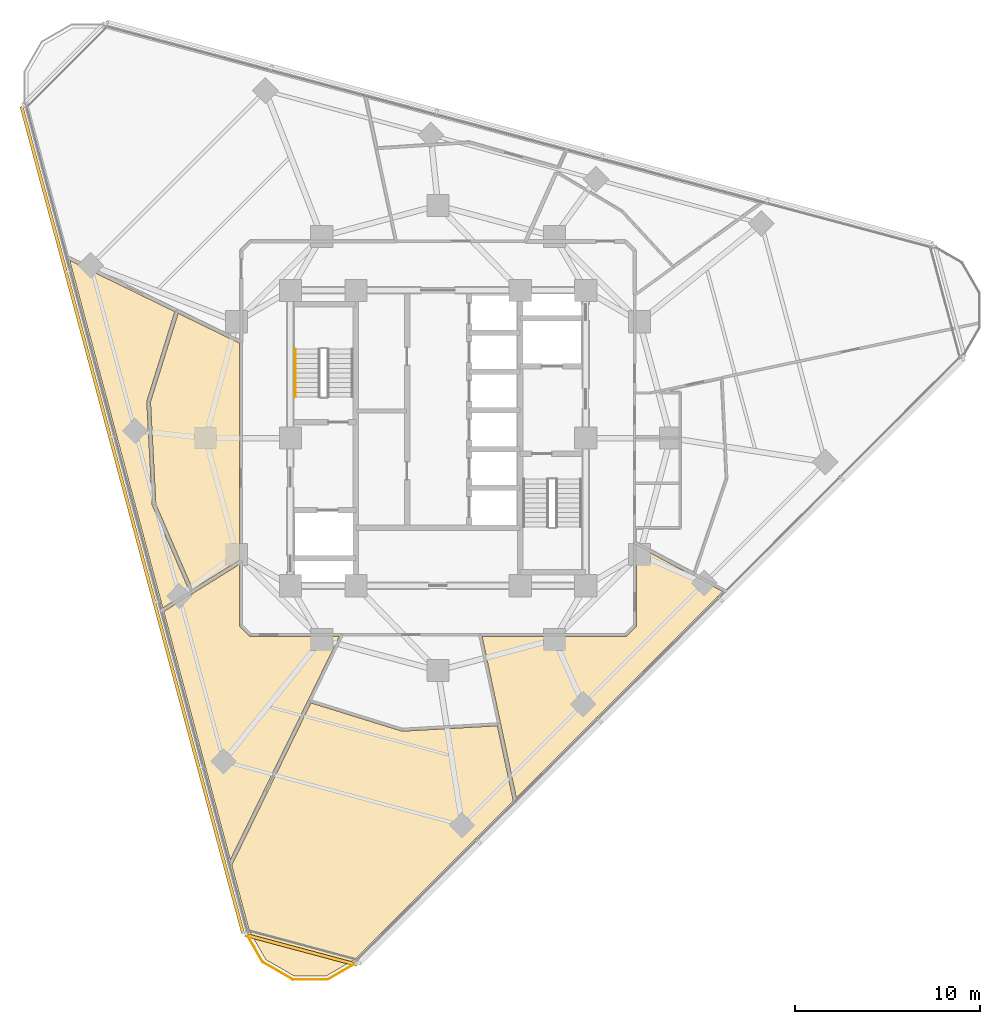
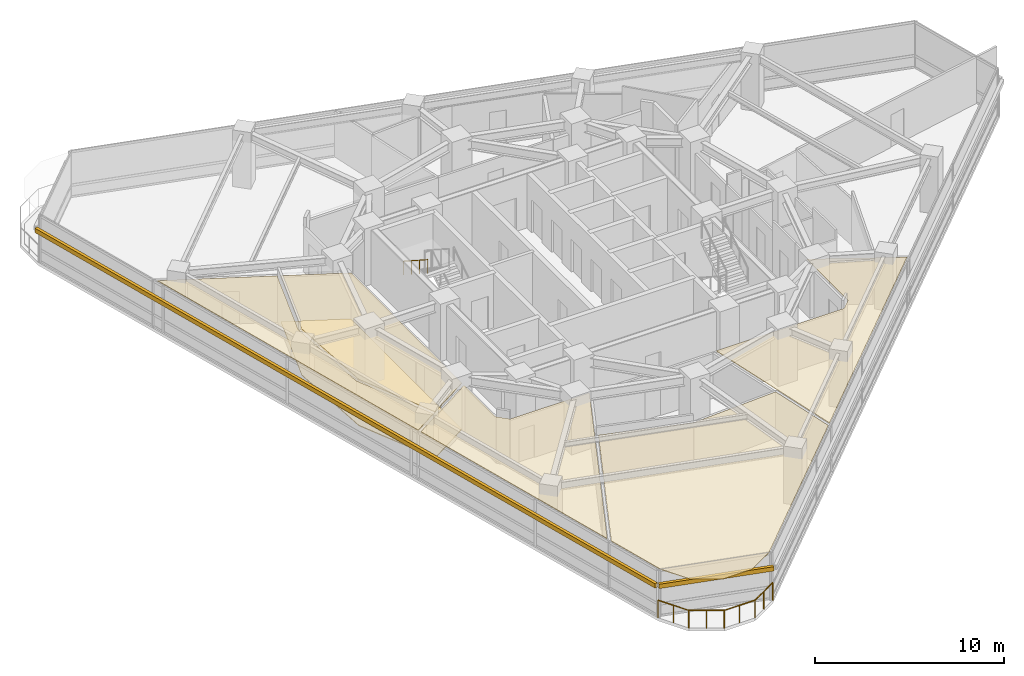
# One storey, part 11 of 14: 6 coverings, 2 railings, 2 shading devices.
"""IFC4 building model written with IfcOpenShell, lengths in metres."""

from ifc_helpers import new_model, si_unit, direction, frame, origin, origin_2d, place, context, subcontext, project, spatial, polyline, rectangle, circle, outline, extrude, material, layer, layer_set, type_object, element, save


model = new_model("IFC4")

# Units and contexts
model_context = context("Model", 3, precision=1e-05, world=origin(), true_north=direction((0.0, 1.0)))
body_context = subcontext(model_context, "Body", "Model", "MODEL_VIEW")
ifc_project = project(units=[si_unit("LENGTHUNIT", "METRE"), si_unit("AREAUNIT", "SQUARE_METRE"), si_unit("VOLUMEUNIT", "CUBIC_METRE"), si_unit("PLANEANGLEUNIT", "RADIAN"), si_unit("MASSUNIT", "GRAM", prefix="KILO")], contexts=[model_context])

# Site, building, storey
site_placement = place(None, origin())
site = spatial("IfcSite", under=ifc_project, at=site_placement, CompositionType="ELEMENT")
building_placement = place(site_placement, origin())
building = spatial("IfcBuilding", under=site, at=building_placement, Name="Terralouvre Media Tower", CompositionType="ELEMENT")
storey_placement = place(building_placement, frame((0.0, 0.0, 187.89990234375)))
storey = spatial("IfcBuildingStorey", under=building, at=storey_placement, Name="L48", CompositionType="ELEMENT", Elevation=187.89990234375)

# Coverings
ifc_material_1 = material(Name="Resilient elastomer acoustic broadcast studio flooring")
ifc_layer_1 = layer(ifc_material_1, 0.050048828125, Name="Broadcast Studio Acoustic Floating Floor FL-AC1")
ifc_layer_set_1 = layer_set([ifc_layer_1], Name="Resilient elastomer acoustic broadcast studio flooring")
covering_type_1 = type_object("IfcCoveringType", Name="Broadcast Studio Acoustic Floating Floor FL-AC1", PredefinedType="FLOORING", material=ifc_layer_set_1)
covering_1_placement = place(storey_placement, frame((0.0, 0.0, 0.0), z_axis=(0.0, 0.0, 1.0), x_axis=(0.707106781187, 0.707106781187, 0.0)))
element("IfcCovering", 1, at=covering_1_placement, inside=storey, type_object=covering_type_1, Name="L48 Foley Sound Creative Workshop 1 Acoustic Floating Floor", PredefinedType="FLOORING", context=body_context, shape_type="SweptSolid", body=[
    extrude(outline(polyline([(-9.62939453125, 12.398681640625), (-13.33740234375, 8.2802734375), (-15.192138671875, 3.6103515625), (-12.26806640625, 2.934814453125), (-3.972900390625, 11.22998046875), (-5.17822265625, 14.7314453125), (-9.62939453125, 12.398681640625)])), origin(), (0.0, 0.0, 1.0), 0.050048828125),
])
ifc_material_2 = material(Name="Perforated aluminium acoustic ceiling baffle", Category="aluminium")
ifc_layer_2 = layer(ifc_material_2, 0.0400390625, Name="Perforated Acoustic Metal Tile Ceiling CL-AC1")
ifc_layer_set_2 = layer_set([ifc_layer_2], Name="Perforated aluminium acoustic ceiling baffle")
covering_type_2 = type_object("IfcCoveringType", Name="Perforated Acoustic Metal Tile Ceiling CL-AC1", PredefinedType="CEILING", material=ifc_layer_set_2)
covering_2_placement = place(storey_placement, frame((0.0, 0.0, 2.97998046875), z_axis=(0.0, 0.0, 1.0), x_axis=(0.707106781187, 0.707106781187, 0.0)))
element("IfcCovering", 2, at=covering_2_placement, inside=storey, type_object=covering_type_2, Name="L48 Foley Sound Creative Workshop 1 Acoustic Ceiling", PredefinedType="CEILING", context=body_context, shape_type="SweptSolid", body=[
    extrude(outline(polyline([(-9.62939453125, 12.398681640625), (-13.33740234375, 8.2802734375), (-15.192138671875, 3.6103515625), (-12.26806640625, 2.934814453125), (-3.972900390625, 11.22998046875), (-5.17822265625, 14.7314453125), (-9.62939453125, 12.398681640625)])), origin(), (0.0, 0.0, 1.0), 0.0400390625),
])
covering_3_placement = place(storey_placement, frame((0.0, 0.0, 2.97998046875), z_axis=(0.0, 0.0, 1.0), x_axis=(0.707106781187, 0.707106781187, 0.0)))
element("IfcCovering", 3, at=covering_3_placement, inside=storey, type_object=covering_type_2, Name="L48 Vinyl and Score Music Library 2 Acoustic Ceiling", PredefinedType="CEILING", context=body_context, shape_type="SweptSolid", body=[
    extrude(outline(polyline([(-11.38720703125, -3.8154296875), (-14.778564453125, -0.42431640625), (-14.78515625, -0.4169921875), (-14.791015625, -0.4091796875), (-14.7958984375, -0.400634765625), (-14.80029296875, -0.391845703125), (-14.803466796875, -0.382568359375), (-14.805908203125, -0.373046875), (-14.807373046875, -0.36328125), (-14.807861328125, -0.353515625), (-14.807861328125, 0.353515625), (-14.807373046875, 0.36328125), (-14.805908203125, 0.373046875), (-14.803466796875, 0.382568359375), (-14.80029296875, 0.391845703125), (-14.7958984375, 0.400634765625), (-14.791015625, 0.4091796875), (-14.78515625, 0.4169921875), (-14.778564453125, 0.42431640625), (-12.434814453125, 2.76806640625), (-15.350341796875, 3.441650390625), (-17.152099609375, 3.857666015625), (-24.11181640625, -8.19677734375), (-15.000732421875, -5.058837890625), (-11.38720703125, -3.8154296875)])), origin(), (0.0, 0.0, 1.0), 0.0400390625),
])
covering_4_placement = place(storey_placement, frame((0.0, 0.0, 2.97998046875), z_axis=(0.0, 0.0, 1.0), x_axis=(0.707106781187, 0.707106781187, 0.0)))
element("IfcCovering", 4, at=covering_4_placement, inside=storey, type_object=covering_type_2, Name="L48 Podcast Host Green Lounge 3 Acoustic Ceiling", PredefinedType="CEILING", context=body_context, shape_type="SweptSolid", body=[
    extrude(outline(polyline([(-12.595703125, -9.863037109375), (-12.602294921875, -9.856689453125), (-12.608154296875, -9.85009765625), (-12.61328125, -9.8427734375), (-12.61767578125, -9.8349609375), (-15.0166015625, -5.27587890625), (-24.264404296875, -8.4609375), (-26.110107421875, -11.658447265625), (-26.572021484375, -13.38330078125), (-26.117919921875, -15.07958984375), (-24.87646484375, -16.32080078125), (-23.15087890625, -16.78369140625), (-11.018798828125, -16.782958984375), (-8.753173828125, -13.294189453125), (-12.595703125, -9.863037109375)])), origin(), (0.0, 0.0, 1.0), 0.0400390625),
])
covering_5_placement = place(storey_placement, frame((0.0, 0.0, 2.97998046875), z_axis=(0.0, 0.0, 1.0), x_axis=(0.707106781187, 0.707106781187, 0.0)))
element("IfcCovering", 5, at=covering_5_placement, inside=storey, type_object=covering_type_2, Name="L48 Sound Engineers Crew Room 5 Acoustic Ceiling", PredefinedType="CEILING", context=body_context, shape_type="SweptSolid", body=[
    extrude(outline(polyline([(3.4794921875, -11.723388671875), (0.42431640625, -14.778564453125), (0.4169921875, -14.78515625), (0.4091796875, -14.791015625), (0.400634765625, -14.7958984375), (0.391845703125, -14.80029296875), (0.382568359375, -14.803466796875), (0.373046875, -14.805908203125), (0.36328125, -14.807373046875), (0.353515625, -14.807861328125), (-0.353515625, -14.807861328125), (-0.36328125, -14.807373046875), (-0.373046875, -14.805908203125), (-0.382568359375, -14.803466796875), (-0.391845703125, -14.80029296875), (-0.400634765625, -14.7958984375), (-0.4091796875, -14.791015625), (-0.4169921875, -14.78515625), (-0.42431640625, -14.778564453125), (-5.9130859375, -9.28955078125), (-8.53857421875, -13.3310546875), (-10.7802734375, -16.782958984375), (5.02685546875, -16.78271484375), (4.502685546875, -15.06884765625), (3.4794921875, -11.723388671875)])), origin(), (0.0, 0.0, 1.0), 0.0400390625),
])
covering_6_placement = place(storey_placement, frame((0.0, 0.0, 2.97998046875), z_axis=(0.0, 0.0, 1.0), x_axis=(0.707106781187, 0.707106781187, 0.0)))
element("IfcCovering", 6, at=covering_6_placement, inside=storey, type_object=covering_type_2, Name="L48 Radio Continuity Control Room 14 Acoustic Ceiling", PredefinedType="CEILING", context=body_context, shape_type="SweptSolid", body=[
    extrude(outline(polyline([(-13.5166015625, 8.370849609375), (-13.512939453125, 8.37890625), (-13.5087890625, 8.38671875), (-13.503662109375, 8.39404296875), (-13.498046875, 8.40087890625), (-9.765869140625, 12.5458984375), (-9.759765625, 12.55224609375), (-9.7529296875, 12.55810546875), (-9.74560546875, 12.56298828125), (-9.738037109375, 12.567626953125), (-5.244140625, 14.922607421875), (-7.306396484375, 20.910888671875), (-17.047607421875, 4.038818359375), (-15.38916015625, 3.65576171875), (-13.5166015625, 8.370849609375)])), origin(), (0.0, 0.0, 1.0), 0.0400390625),
])

# Railings
ifc_material_3 = material(Name="Stainless steel 316 handrail and balustrade", Category="steel")
ifc_layer_3 = layer(ifc_material_3, 0.06005859375, Name="Roof Edge Safety Guardrail GR-ROOF1")
ifc_layer_set_3 = layer_set([ifc_layer_3], Name="Stainless steel 316 handrail and balustrade")
railing_type_1 = type_object("IfcRailingType", Name="Roof Edge Safety Guardrail GR-ROOF1", PredefinedType="GUARDRAIL", material=ifc_layer_set_3)
railing_1_placement = place(storey_placement, frame((-10.418701171875, -26.77685546875, 0.0)))
element("IfcRailing", 7, at=railing_1_placement, inside=storey, type_object=railing_type_1, Name="L48 Wind-Corner Perimeter Safety Guardrail C0", PredefinedType="GUARDRAIL", context=body_context, shape_type="SweptSolid", body=[
    extrude(circle(Radius=0.02099609375, at=origin_2d()), frame((0.0, 0.0, 1.12890625), z_axis=(0.499797667116, -0.866142189219, 0.0), x_axis=(0.866142189219, 0.499797667116, 0.0)), (0.0, 0.0, 1.0), 1.873291015625),
    extrude(circle(Radius=0.02099609375, at=origin_2d()), frame((0.936279296875, -1.62255859375, 1.12890625), z_axis=(0.86593156901, -0.500162491388, 0.0), x_axis=(0.500162491388, 0.86593156901, 0.0)), (0.0, 0.0, 1.0), 1.873046875),
    extrude(circle(Radius=0.02099609375, at=origin_2d()), frame((2.55810546875, -2.559326171875, 1.12890625), z_axis=(0.999999991505, 0.000130344107, 0.0), x_axis=(-0.000130344107, 0.999999991505, 0.0)), (0.0, 0.0, 1.0), 1.873046875),
    extrude(circle(Radius=0.02099609375, at=origin_2d()), frame((4.43115234375, -2.55908203125, 1.12890625), z_axis=(0.86590772507, 0.500203770141, 0.0), x_axis=(-0.500203770141, 0.86590772507, 0.0)), (0.0, 0.0, 1.0), 1.873291015625),
    extrude(circle(Radius=0.01904296875, at=origin_2d()), origin(), (0.0, 0.0, 1.0), 1.10791015625),
    extrude(circle(Radius=0.01904296875, at=origin_2d()), frame((0.46826171875, -0.811279296875, 0.0)), (0.0, 0.0, 1.0), 1.10791015625),
    extrude(circle(Radius=0.01904296875, at=origin_2d()), frame((0.936279296875, -1.62255859375, 0.0)), (0.0, 0.0, 1.0), 1.10791015625),
    extrude(circle(Radius=0.01904296875, at=origin_2d()), frame((1.7470703125, -2.0908203125, 0.0)), (0.0, 0.0, 1.0), 1.10791015625),
    extrude(circle(Radius=0.01904296875, at=origin_2d()), frame((2.55810546875, -2.559326171875, 0.0)), (0.0, 0.0, 1.0), 1.10791015625),
    extrude(circle(Radius=0.01904296875, at=origin_2d()), frame((3.49462890625, -2.55908203125, 0.0)), (0.0, 0.0, 1.0), 1.10791015625),
    extrude(circle(Radius=0.01904296875, at=origin_2d()), frame((4.43115234375, -2.55908203125, 0.0)), (0.0, 0.0, 1.0), 1.10791015625),
    extrude(circle(Radius=0.01904296875, at=origin_2d()), frame((5.2421875, -2.090576171875, 0.0)), (0.0, 0.0, 1.0), 1.10791015625),
    extrude(circle(Radius=0.01904296875, at=origin_2d()), frame((6.05322265625, -1.6220703125, 0.0)), (0.0, 0.0, 1.0), 1.10791015625),
])
ifc_material_4 = material(Name="Stainless steel 316 handrail and balustrade", Category="steel")
ifc_layer_4 = layer(ifc_material_4, 0.050048828125, Name="Stair Flight Wall Handrail HR-INT1")
ifc_layer_set_4 = layer_set([ifc_layer_4], Name="Stainless steel 316 handrail and balustrade")
railing_type_2 = type_object("IfcRailingType", Name="Stair Flight Wall Handrail HR-INT1", PredefinedType="HANDRAIL", material=ifc_layer_set_4)
railing_2_placement = place(storey_placement, frame((-7.72998046875, 4.820068359375, 2.018310546875)))
element("IfcRailing", 8, at=railing_2_placement, inside=storey, type_object=railing_type_2, Name="L48 ST-01 stair handrail 2", PredefinedType="HANDRAIL", context=body_context, shape_type="SweptSolid", body=[
    extrude(circle(Radius=0.02392578125, at=origin_2d()), frame((0.0, 0.0, 0.8759765625), z_axis=(0.0, -0.839648411786, 0.543130320075), x_axis=(1.0, 0.0, 0.0)), (0.0, 0.0, 1.0), 3.0966796875),
    extrude(circle(Radius=0.02099609375, at=origin_2d()), origin(), (0.0, 0.0, 1.0), 0.851806640625),
    extrude(circle(Radius=0.02099609375, at=origin_2d()), frame((0.0, -0.86669921875, 0.560546875)), (0.0, 0.0, 1.0), 0.851806640625),
    extrude(circle(Radius=0.02099609375, at=origin_2d()), frame((0.0, -1.7333984375, 1.121337890625)), (0.0, 0.0, 1.0), 0.851806640625),
    extrude(circle(Radius=0.02099609375, at=origin_2d()), frame((0.0, -2.60009765625, 1.681884765625)), (0.0, 0.0, 1.0), 0.851806640625),
])

# Shading devices
ifc_material_5 = material(Name="Extruded terracotta baguette sunshade louvres", Category="masonry")
shading_device_type = type_object("IfcShadingDeviceType", Name="Terracotta Baguette Sunshade Louvre Screen TB-LV1", PredefinedType="USERDEFINED", material=ifc_material_5)
shading_device_1_placement = place(storey_placement, frame((-16.558837890625, -4.43701171875, 2.02392578125), z_axis=(0.0, 0.0, 1.0), x_axis=(0.25881903342, -0.96592582942, 0.0)))
element("IfcShadingDevice", 9, at=shading_device_1_placement, inside=storey, type_object=shading_device_type, Name="CW-L48-F2 Terracotta Baguette Sunshade Louvre", ObjectType="BAGUETTE", PredefinedType="USERDEFINED", context=body_context, shape_type="SweptSolid", body=[
    extrude(rectangle(XDim=46.360107421875, YDim=0.179931640625, at=origin_2d()), origin(), (0.0, 0.0, 1.0), 0.280029296875),
])
shading_device_2_placement = place(storey_placement, frame((-7.427001953125, -27.71826171875, 2.02392578125), z_axis=(0.0, 0.0, 1.0), x_axis=(0.965925911218, -0.258818728144, 0.0)))
element("IfcShadingDevice", 10, at=shading_device_2_placement, inside=storey, type_object=shading_device_type, Name="CW-L48-C0 Terracotta Baguette Sunshade Louvre", ObjectType="BAGUETTE", PredefinedType="USERDEFINED", context=body_context, shape_type="SweptSolid", body=[
    extrude(rectangle(XDim=6.27001953125, YDim=0.179931640625, at=origin_2d()), origin(), (0.0, 0.0, 1.0), 0.280029296875),
])

save(model, "model.ifc")
